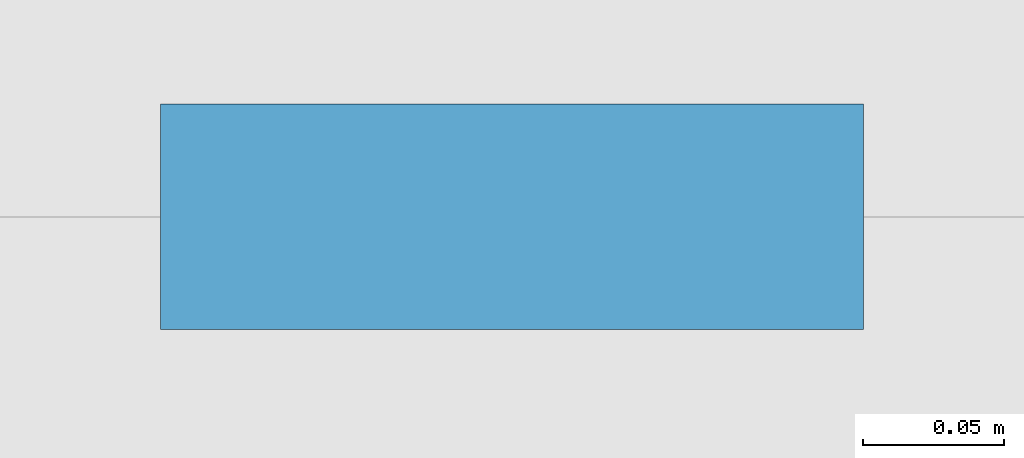
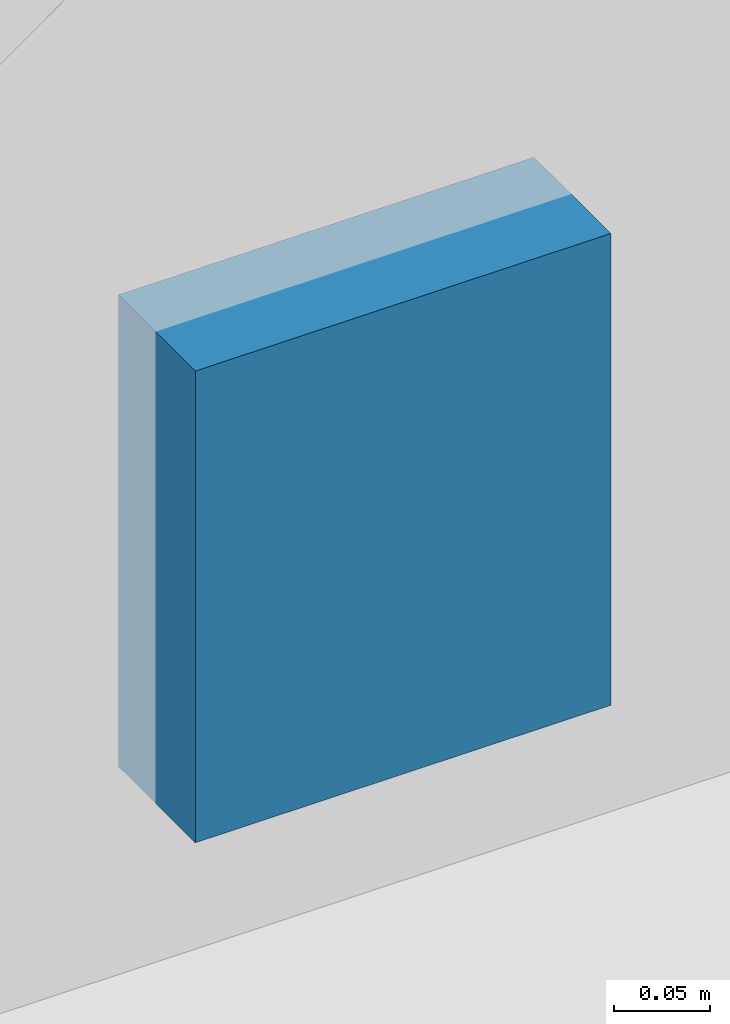
# One storey, part 102 of 199: 1 discrete accessory.
"""IFC4 building model written with IfcOpenShell, lengths in metres."""

from ifc_helpers import new_model, si_unit, direction, frame, origin, origin_2d, place, context, subcontext, project, spatial, rectangle, extrude, material, layer, layer_set, type_object, element, save


model = new_model("IFC4")

# Units and contexts
model_context = context("Model", 3, precision=1e-05, world=origin(), true_north=direction((0.0, 1.0)))
body_context = subcontext(model_context, "Body", "Model", "MODEL_VIEW")
ifc_project = project(units=[si_unit("LENGTHUNIT", "METRE"), si_unit("AREAUNIT", "SQUARE_METRE"), si_unit("VOLUMEUNIT", "CUBIC_METRE"), si_unit("PLANEANGLEUNIT", "RADIAN"), si_unit("MASSUNIT", "GRAM", prefix="KILO")], contexts=[model_context])

# Site, building, storey
site_placement = place(None, origin())
site = spatial("IfcSite", under=ifc_project, at=site_placement, CompositionType="ELEMENT")
building_placement = place(site_placement, origin())
building = spatial("IfcBuilding", under=site, at=building_placement, Name="Ogive Plaza Stadium", CompositionType="ELEMENT")
storey_placement = place(building_placement, frame((0.0, 0.0, 4.5)))
storey = spatial("IfcBuildingStorey", under=building, at=storey_placement, Name="L01", CompositionType="ELEMENT", Elevation=4.5)

# Discrete accessory
ifc_material = material(Name="Steel ASTM A572 Grade 50", Category="steel")
ifc_layer = layer(ifc_material, 0.080078125)
ifc_layer_set = layer_set([ifc_layer], Name="Steel ASTM A572 Grade 50")
discrete_accessory_type = type_object("IfcDiscreteAccessoryType", Name="Spandrel cladding bracket 250x300", PredefinedType="BRACKET", material=ifc_layer_set)
discrete_accessory_placement = place(storey_placement, frame((27.199951171875, 102.85009765625, -1.31005859375), z_axis=(0.0, 0.0, 1.0), x_axis=(1.0, 0.0, 0.0)))
element("IfcDiscreteAccessory", 1, at=discrete_accessory_placement, inside=storey, type_object=discrete_accessory_type, Name="SPANDREL BRACKET B36 L01", PredefinedType="BRACKET", context=body_context, shape_type="SweptSolid", body=[
    extrude(rectangle(XDim=0.25, YDim=0.080078125, at=origin_2d()), origin(), (0.0, 0.0, 1.0), 0.300048828125),
])

save(model, "model.ifc")
